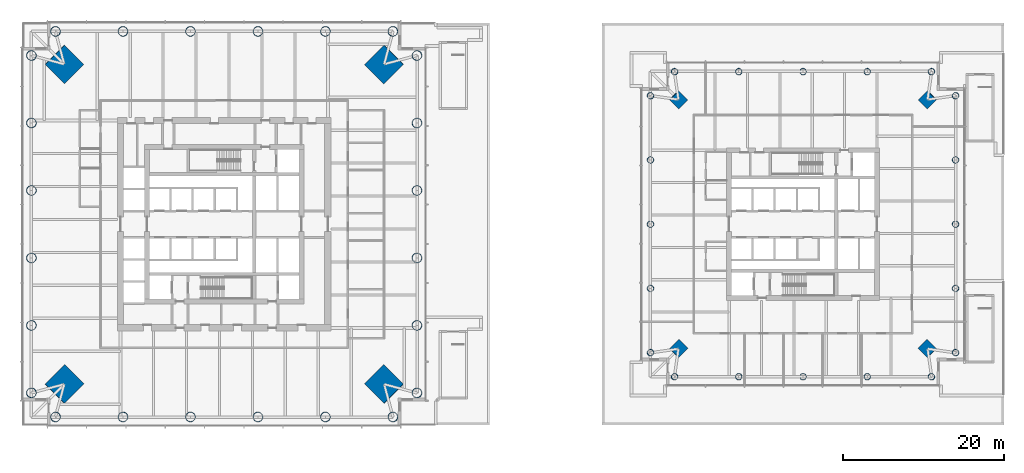
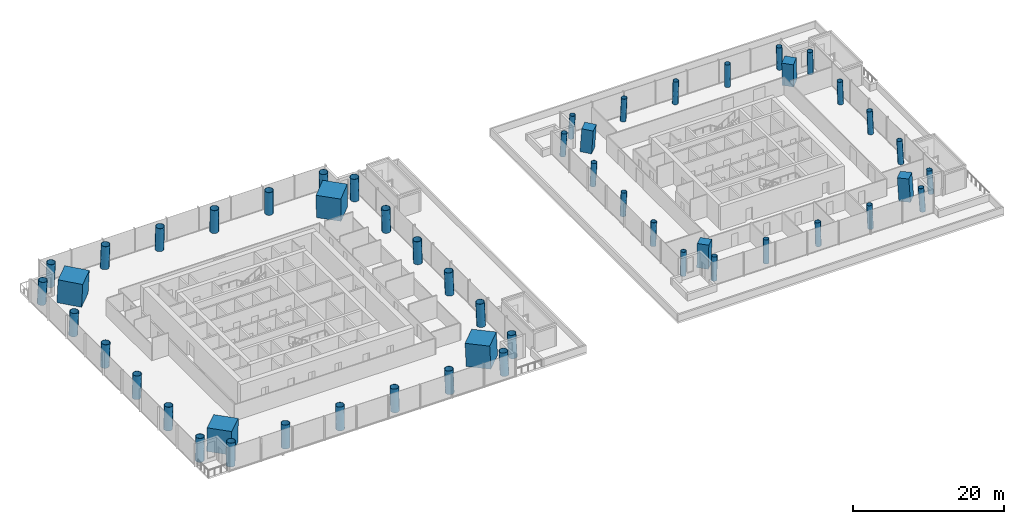
# One storey, part 1 of 19: 52 columns.
"""IFC4 building model written with IfcOpenShell, lengths in metres."""

from ifc_helpers import new_model, si_unit, direction, frame, origin, origin_2d, place, context, subcontext, project, spatial, rectangle, hollow_circle, extrude, material, material_profile, profile_set, type_object, element, save


model = new_model("IFC4")

# Units and contexts
model_context = context("Model", 3, precision=1e-05, world=origin(), true_north=direction((0.0, 1.0)))
body_context = subcontext(model_context, "Body", "Model", "MODEL_VIEW")
ifc_project = project(units=[si_unit("LENGTHUNIT", "METRE"), si_unit("AREAUNIT", "SQUARE_METRE"), si_unit("VOLUMEUNIT", "CUBIC_METRE"), si_unit("PLANEANGLEUNIT", "RADIAN"), si_unit("MASSUNIT", "GRAM", prefix="KILO")], contexts=[model_context])

# Site, building, storey
site_placement = place(None, origin())
site = spatial("IfcSite", under=ifc_project, at=site_placement, CompositionType="ELEMENT")
building_placement = place(site_placement, origin())
building = spatial("IfcBuilding", under=site, at=building_placement, Name="Ostroluk Exchange", CompositionType="ELEMENT")
storey_placement = place(building_placement, frame((0.0, 0.0, 21.0)))
storey = spatial("IfcBuildingStorey", under=building, at=storey_placement, Name="L04", CompositionType="ELEMENT", Elevation=21.0)

# Columns
ifc_material_1 = material(Name="Concrete C50/60", Category="concrete")
ifc_material_profile_1 = material_profile(ifc_material_1, rectangle(XDim=1.60009765625, YDim=1.60009765625, at=origin_2d()), Name="RC 1600x1600")
ifc_profile_set_1 = profile_set([ifc_material_profile_1], Name="Concrete C50/60")
column_type_1 = type_object("IfcColumnType", Name="Mega column RC 1600x1600", PredefinedType="COLUMN", material=ifc_profile_set_1)
for number, where, z_axis, x_axis, name in (
    (1, (132.497802734375, 61.497802734375, 0.049560546875), (-0.043013543527, -0.043013543527, 0.998148120344), (0.707106781187, -0.707106781187, 0.0), "T2 mega column NE"),
    (2, (101.502197265625, 61.497802734375, 0.049560546875), (0.043013543527, -0.043013543527, 0.998148120344), (0.707106781187, 0.707106781187, 0.0), "T2 mega column NW"),
    (3, (101.502197265625, 30.502197265625, 0.049560546875), (0.043013543527, 0.043013543527, 0.998148120344), (-0.707106781187, 0.707106781187, 0.0), "T2 mega column SW"),
    (4, (132.497802734375, 30.502197265625, 0.049560546875), (-0.043013543527, 0.043013543527, 0.998148120344), (-0.707106781187, -0.707106781187, 0.0), "T2 mega column SE"),
):
    element("IfcColumn", number, at=place(storey_placement, frame(where, z_axis=z_axis, x_axis=x_axis)), inside=storey, type_object=column_type_1, Name=name, PredefinedType="COLUMN", context=body_context, shape_type="SweptSolid", body=[
        extrude(rectangle(XDim=1.60009765625, YDim=1.60009765625, at=origin_2d()), origin(), (0.0, 0.0, 1.0), 3.757568359375),
    ])
ifc_material_2 = material(Name="Concrete C50/60", Category="concrete")
ifc_material_profile_2 = material_profile(ifc_material_2, rectangle(XDim=3.39990234375, YDim=3.39990234375, at=origin_2d()), Name="RC 3400x3400")
ifc_profile_set_2 = profile_set([ifc_material_profile_2], Name="Concrete C50/60")
column_type_2 = type_object("IfcColumnType", Name="Mega column RC 3400x3400", PredefinedType="COLUMN", material=ifc_profile_set_2)
for number, where, z_axis, x_axis, name in (
    (5, (64.8974609375, 65.8974609375, 0.07763671875), (-0.031908173233, -0.031908173233, 0.998981349657), (0.707106781187, -0.707106781187, 0.0), "T1 mega column NE"),
    (6, (25.1025390625, 65.8974609375, 0.07763671875), (0.031908173233, -0.031908173233, 0.998981349657), (0.707106781187, 0.707106781187, 0.0), "T1 mega column NW"),
    (7, (25.1025390625, 26.1025390625, 0.07763671875), (0.031908173233, 0.031908173233, 0.998981349657), (-0.707106781187, 0.707106781187, 0.0), "T1 mega column SW"),
    (8, (64.8974609375, 26.1025390625, 0.07763671875), (-0.031908173233, 0.031908173233, 0.998981349657), (-0.707106781187, -0.707106781187, 0.0), "T1 mega column SE"),
):
    element("IfcColumn", number, at=place(storey_placement, frame(where, z_axis=z_axis, x_axis=x_axis)), inside=storey, type_object=column_type_2, Name=name, PredefinedType="COLUMN", context=body_context, shape_type="SweptSolid", body=[
        extrude(rectangle(XDim=3.39990234375, YDim=3.39990234375, at=origin_2d()), origin(), (0.0, 0.0, 1.0), 3.726318359375),
    ])
ifc_material_3 = material(Name="Steel S460", Category="steel")
ifc_material_profile_3 = material_profile(ifc_material_3, hollow_circle(Radius=0.609619140625, WallThickness=0.0400390625, at=origin_2d()), Name="CHS 1219x40")
ifc_profile_set_3 = profile_set([ifc_material_profile_3], Name="Steel S460")
column_type_3 = type_object("IfcColumnType", Name="Perimeter column CHS 1219x40", PredefinedType="COLUMN", material=ifc_profile_set_3)
for number, where, z_axis, x_axis, name in (
    (9, (68.998779296875, 25.001220703125, 0.039794921875), (-0.031911357223, 0.031911357223, 0.998981146249), (-0.707106781187, -0.707106781187, 0.0), "T1 east face column E0"),
    (10, (68.998779296875, 66.998779296875, 0.039794921875), (-0.031911357223, -0.031911357223, 0.998981146249), (0.707106781187, -0.707106781187, 0.0), "T1 east face column E1"),
):
    element("IfcColumn", number, at=place(storey_placement, frame(where, z_axis=z_axis, x_axis=x_axis)), inside=storey, type_object=column_type_3, Name=name, PredefinedType="COLUMN", context=body_context, shape_type="SweptSolid", body=[
        extrude(hollow_circle(Radius=0.609619140625, WallThickness=0.0400390625, at=origin_2d()), origin(), (0.0, 0.0, 1.0), 3.76416015625),
    ])
column_1_placement = place(storey_placement, frame((68.9990234375, 33.400634765625, 0.033203125), z_axis=(-0.031930647454, 0.019171342082, 0.999306206023), x_axis=(-0.514751471552, -0.857339444173, 0.0)))
element("IfcColumn", 11, at=column_1_placement, inside=storey, type_object=column_type_3, Name="T1 east face column I1", PredefinedType="COLUMN", context=body_context, shape_type="SweptSolid", body=[
    extrude(hollow_circle(Radius=0.609619140625, WallThickness=0.0400390625, at=origin_2d()), origin(), (0.0, 0.0, 1.0), 3.76953125),
])
for number, where, z_axis, x_axis, name in (
    (12, (68.9990234375, 41.80029296875, 0.029052734375), (-0.031900761737, 0.006341327891, 0.99947092452), (-0.194968228644, -0.980809558385, 0.0), "T1 east face column I2"),
    (13, (68.9990234375, 50.19970703125, 0.029052734375), (-0.031900761737, -0.006341327891, 0.99947092452), (0.194968228644, -0.980809558385, 0.0), "T1 east face column I3"),
):
    element("IfcColumn", number, at=place(storey_placement, frame(where, z_axis=z_axis, x_axis=x_axis)), inside=storey, type_object=column_type_3, Name=name, PredefinedType="COLUMN", context=body_context, shape_type="SweptSolid", body=[
        extrude(hollow_circle(Radius=0.609619140625, WallThickness=0.0400390625, at=origin_2d()), origin(), (0.0, 0.0, 1.0), 3.77294921875),
    ])
column_2_placement = place(storey_placement, frame((68.9990234375, 58.599365234375, 0.033203125), z_axis=(-0.031930647454, -0.019171342082, 0.999306206023), x_axis=(0.514751471552, -0.857339444173, 0.0)))
element("IfcColumn", 14, at=column_2_placement, inside=storey, type_object=column_type_3, Name="T1 east face column I4", PredefinedType="COLUMN", context=body_context, shape_type="SweptSolid", body=[
    extrude(hollow_circle(Radius=0.609619140625, WallThickness=0.0400390625, at=origin_2d()), origin(), (0.0, 0.0, 1.0), 3.76953125),
])
for number, where, z_axis, x_axis, name in (
    (15, (65.998779296875, 69.998779296875, 0.039794921875), (-0.031911357223, -0.031911357223, 0.998981146249), (0.707106781187, -0.707106781187, 0.0), "T1 north face column E0"),
    (16, (24.001220703125, 69.998779296875, 0.039794921875), (0.031911357223, -0.031911357223, 0.998981146249), (0.707106781187, 0.707106781187, 0.0), "T1 north face column E1"),
):
    element("IfcColumn", number, at=place(storey_placement, frame(where, z_axis=z_axis, x_axis=x_axis)), inside=storey, type_object=column_type_3, Name=name, PredefinedType="COLUMN", context=body_context, shape_type="SweptSolid", body=[
        extrude(hollow_circle(Radius=0.609619140625, WallThickness=0.0400390625, at=origin_2d()), origin(), (0.0, 0.0, 1.0), 3.76416015625),
    ])
column_3_placement = place(storey_placement, frame((57.599365234375, 69.9990234375, 0.033203125), z_axis=(-0.019171342082, -0.031930647454, 0.999306206023), x_axis=(0.857339444173, -0.514751471552, 0.0)))
element("IfcColumn", 17, at=column_3_placement, inside=storey, type_object=column_type_3, Name="T1 north face column I1", PredefinedType="COLUMN", context=body_context, shape_type="SweptSolid", body=[
    extrude(hollow_circle(Radius=0.609619140625, WallThickness=0.0400390625, at=origin_2d()), origin(), (0.0, 0.0, 1.0), 3.76953125),
])
for number, where, z_axis, x_axis, name in (
    (18, (49.19970703125, 69.9990234375, 0.029052734375), (-0.006341327891, -0.031900761737, 0.99947092452), (0.980809558385, -0.194968228644, 0.0), "T1 north face column I2"),
    (19, (40.80029296875, 69.9990234375, 0.029052734375), (0.006341327891, -0.031900761737, 0.99947092452), (0.980809558385, 0.194968228644, 0.0), "T1 north face column I3"),
):
    element("IfcColumn", number, at=place(storey_placement, frame(where, z_axis=z_axis, x_axis=x_axis)), inside=storey, type_object=column_type_3, Name=name, PredefinedType="COLUMN", context=body_context, shape_type="SweptSolid", body=[
        extrude(hollow_circle(Radius=0.609619140625, WallThickness=0.0400390625, at=origin_2d()), origin(), (0.0, 0.0, 1.0), 3.77294921875),
    ])
column_4_placement = place(storey_placement, frame((32.400634765625, 69.9990234375, 0.033203125), z_axis=(0.019171342082, -0.031930647454, 0.999306206023), x_axis=(0.857339444173, 0.514751471552, 0.0)))
element("IfcColumn", 20, at=column_4_placement, inside=storey, type_object=column_type_3, Name="T1 north face column I4", PredefinedType="COLUMN", context=body_context, shape_type="SweptSolid", body=[
    extrude(hollow_circle(Radius=0.609619140625, WallThickness=0.0400390625, at=origin_2d()), origin(), (0.0, 0.0, 1.0), 3.76953125),
])
for number, where, z_axis, x_axis, name in (
    (21, (21.001220703125, 66.998779296875, 0.039794921875), (0.031911357223, -0.031911357223, 0.998981146249), (0.707106781187, 0.707106781187, 0.0), "T1 west face column E0"),
    (22, (21.001220703125, 25.001220703125, 0.039794921875), (0.031911357223, 0.031911357223, 0.998981146249), (-0.707106781187, 0.707106781187, 0.0), "T1 west face column E1"),
):
    element("IfcColumn", number, at=place(storey_placement, frame(where, z_axis=z_axis, x_axis=x_axis)), inside=storey, type_object=column_type_3, Name=name, PredefinedType="COLUMN", context=body_context, shape_type="SweptSolid", body=[
        extrude(hollow_circle(Radius=0.609619140625, WallThickness=0.0400390625, at=origin_2d()), origin(), (0.0, 0.0, 1.0), 3.76416015625),
    ])
column_5_placement = place(storey_placement, frame((21.0009765625, 58.599365234375, 0.033203125), z_axis=(0.031930647454, -0.019171342082, 0.999306206023), x_axis=(0.514751471552, 0.857339444173, 0.0)))
element("IfcColumn", 23, at=column_5_placement, inside=storey, type_object=column_type_3, Name="T1 west face column I1", PredefinedType="COLUMN", context=body_context, shape_type="SweptSolid", body=[
    extrude(hollow_circle(Radius=0.609619140625, WallThickness=0.0400390625, at=origin_2d()), origin(), (0.0, 0.0, 1.0), 3.76953125),
])
for number, where, z_axis, x_axis, name in (
    (24, (21.0009765625, 50.19970703125, 0.029052734375), (0.031900761737, -0.006341327891, 0.99947092452), (0.194968228644, 0.980809558385, 0.0), "T1 west face column I2"),
    (25, (21.0009765625, 41.80029296875, 0.029052734375), (0.031900761737, 0.006341327891, 0.99947092452), (-0.194968228644, 0.980809558385, 0.0), "T1 west face column I3"),
):
    element("IfcColumn", number, at=place(storey_placement, frame(where, z_axis=z_axis, x_axis=x_axis)), inside=storey, type_object=column_type_3, Name=name, PredefinedType="COLUMN", context=body_context, shape_type="SweptSolid", body=[
        extrude(hollow_circle(Radius=0.609619140625, WallThickness=0.0400390625, at=origin_2d()), origin(), (0.0, 0.0, 1.0), 3.77294921875),
    ])
column_6_placement = place(storey_placement, frame((21.0009765625, 33.400634765625, 0.033203125), z_axis=(0.031930647454, 0.019171342082, 0.999306206023), x_axis=(-0.514751471552, 0.857339444173, 0.0)))
element("IfcColumn", 26, at=column_6_placement, inside=storey, type_object=column_type_3, Name="T1 west face column I4", PredefinedType="COLUMN", context=body_context, shape_type="SweptSolid", body=[
    extrude(hollow_circle(Radius=0.609619140625, WallThickness=0.0400390625, at=origin_2d()), origin(), (0.0, 0.0, 1.0), 3.76953125),
])
for number, where, z_axis, x_axis, name in (
    (27, (24.001220703125, 22.001220703125, 0.039794921875), (0.031911357223, 0.031911357223, 0.998981146249), (-0.707106781187, 0.707106781187, 0.0), "T1 south face column E0"),
    (28, (65.998779296875, 22.001220703125, 0.039794921875), (-0.031911357223, 0.031911357223, 0.998981146249), (-0.707106781187, -0.707106781187, 0.0), "T1 south face column E1"),
):
    element("IfcColumn", number, at=place(storey_placement, frame(where, z_axis=z_axis, x_axis=x_axis)), inside=storey, type_object=column_type_3, Name=name, PredefinedType="COLUMN", context=body_context, shape_type="SweptSolid", body=[
        extrude(hollow_circle(Radius=0.609619140625, WallThickness=0.0400390625, at=origin_2d()), origin(), (0.0, 0.0, 1.0), 3.76416015625),
    ])
column_7_placement = place(storey_placement, frame((32.400634765625, 22.0009765625, 0.033203125), z_axis=(0.019171342082, 0.031930647454, 0.999306206023), x_axis=(-0.857339444173, 0.514751471552, 0.0)))
element("IfcColumn", 29, at=column_7_placement, inside=storey, type_object=column_type_3, Name="T1 south face column I1", PredefinedType="COLUMN", context=body_context, shape_type="SweptSolid", body=[
    extrude(hollow_circle(Radius=0.609619140625, WallThickness=0.0400390625, at=origin_2d()), origin(), (0.0, 0.0, 1.0), 3.76953125),
])
for number, where, z_axis, x_axis, name in (
    (30, (40.80029296875, 22.0009765625, 0.029052734375), (0.006341327891, 0.031900761737, 0.99947092452), (-0.980809558385, 0.194968228644, 0.0), "T1 south face column I2"),
    (31, (49.19970703125, 22.0009765625, 0.029052734375), (-0.006341327891, 0.031900761737, 0.99947092452), (-0.980809558385, -0.194968228644, 0.0), "T1 south face column I3"),
):
    element("IfcColumn", number, at=place(storey_placement, frame(where, z_axis=z_axis, x_axis=x_axis)), inside=storey, type_object=column_type_3, Name=name, PredefinedType="COLUMN", context=body_context, shape_type="SweptSolid", body=[
        extrude(hollow_circle(Radius=0.609619140625, WallThickness=0.0400390625, at=origin_2d()), origin(), (0.0, 0.0, 1.0), 3.77294921875),
    ])
column_8_placement = place(storey_placement, frame((57.599365234375, 22.0009765625, 0.033203125), z_axis=(-0.019171342082, 0.031930647454, 0.999306206023), x_axis=(-0.857339444173, -0.514751471552, 0.0)))
element("IfcColumn", 32, at=column_8_placement, inside=storey, type_object=column_type_3, Name="T1 south face column I4", PredefinedType="COLUMN", context=body_context, shape_type="SweptSolid", body=[
    extrude(hollow_circle(Radius=0.609619140625, WallThickness=0.0400390625, at=origin_2d()), origin(), (0.0, 0.0, 1.0), 3.76953125),
])
ifc_material_4 = material(Name="Steel S460", Category="steel")
ifc_material_profile_4 = material_profile(ifc_material_4, hollow_circle(Radius=0.406494140625, WallThickness=0.030029296875, at=origin_2d()), Name="CHS 813x30")
ifc_profile_set_4 = profile_set([ifc_material_profile_4], Name="Steel S460")
column_type_4 = type_object("IfcColumnType", Name="Perimeter column CHS 813x30", PredefinedType="COLUMN", material=ifc_profile_set_4)
for number, where, z_axis, x_axis, name in (
    (33, (135.99853515625, 30.00146484375, 0.035888671875), (-0.04305138993, 0.04305138993, 0.998144857047), (-0.707106781187, -0.707106781187, 0.0), "T2 east face column E0"),
    (34, (135.99853515625, 61.99853515625, 0.035888671875), (-0.04305138993, -0.04305138993, 0.998144857047), (0.707106781187, -0.707106781187, 0.0), "T2 east face column E1"),
):
    element("IfcColumn", number, at=place(storey_placement, frame(where, z_axis=z_axis, x_axis=x_axis)), inside=storey, type_object=column_type_4, Name=name, PredefinedType="COLUMN", context=body_context, shape_type="SweptSolid", body=[
        extrude(hollow_circle(Radius=0.406494140625, WallThickness=0.030029296875, at=origin_2d()), origin(), (0.0, 0.0, 1.0), 3.771240234375),
    ])
column_9_placement = place(storey_placement, frame((135.998779296875, 38.000732421875, 0.028564453125), z_axis=(-0.043062441476, 0.021466562418, 0.998841735628), x_axis=(-0.446138240569, -0.8949640609, 0.0)))
element("IfcColumn", 35, at=column_9_placement, inside=storey, type_object=column_type_4, Name="T2 east face column I1", PredefinedType="COLUMN", context=body_context, shape_type="SweptSolid", body=[
    extrude(hollow_circle(Radius=0.406494140625, WallThickness=0.030029296875, at=origin_2d()), origin(), (0.0, 0.0, 1.0), 3.77587890625),
])
column_10_placement = place(storey_placement, frame((135.998779296875, 46.0, 0.025634765625), z_axis=(-0.043038996107, 0.0, 0.999073393107), x_axis=(0.0, -1.0, 0.0)))
element("IfcColumn", 36, at=column_10_placement, inside=storey, type_object=column_type_4, Name="T2 east face column I2", PredefinedType="COLUMN", context=body_context, shape_type="SweptSolid", body=[
    extrude(hollow_circle(Radius=0.406494140625, WallThickness=0.030029296875, at=origin_2d()), origin(), (0.0, 0.0, 1.0), 3.77783203125),
])
column_11_placement = place(storey_placement, frame((135.998779296875, 53.999267578125, 0.028564453125), z_axis=(-0.043062441476, -0.021466562418, 0.998841735628), x_axis=(0.446138240569, -0.8949640609, 0.0)))
element("IfcColumn", 37, at=column_11_placement, inside=storey, type_object=column_type_4, Name="T2 east face column I3", PredefinedType="COLUMN", context=body_context, shape_type="SweptSolid", body=[
    extrude(hollow_circle(Radius=0.406494140625, WallThickness=0.030029296875, at=origin_2d()), origin(), (0.0, 0.0, 1.0), 3.77587890625),
])
for number, where, z_axis, x_axis, name in (
    (38, (132.99853515625, 64.99853515625, 0.035888671875), (-0.04305138993, -0.04305138993, 0.998144857047), (0.707106781187, -0.707106781187, 0.0), "T2 north face column E0"),
    (39, (101.00146484375, 64.99853515625, 0.035888671875), (0.04305138993, -0.04305138993, 0.998144857047), (0.707106781187, 0.707106781187, 0.0), "T2 north face column E1"),
):
    element("IfcColumn", number, at=place(storey_placement, frame(where, z_axis=z_axis, x_axis=x_axis)), inside=storey, type_object=column_type_4, Name=name, PredefinedType="COLUMN", context=body_context, shape_type="SweptSolid", body=[
        extrude(hollow_circle(Radius=0.406494140625, WallThickness=0.030029296875, at=origin_2d()), origin(), (0.0, 0.0, 1.0), 3.771240234375),
    ])
column_12_placement = place(storey_placement, frame((124.999267578125, 64.998779296875, 0.028564453125), z_axis=(-0.021466562418, -0.043062441476, 0.998841735628), x_axis=(0.8949640609, -0.446138240569, 0.0)))
element("IfcColumn", 40, at=column_12_placement, inside=storey, type_object=column_type_4, Name="T2 north face column I1", PredefinedType="COLUMN", context=body_context, shape_type="SweptSolid", body=[
    extrude(hollow_circle(Radius=0.406494140625, WallThickness=0.030029296875, at=origin_2d()), origin(), (0.0, 0.0, 1.0), 3.77587890625),
])
column_13_placement = place(storey_placement, frame((117.0, 64.998779296875, 0.025634765625), z_axis=(0.0, -0.043038996107, 0.999073393107), x_axis=(1.0, 0.0, 0.0)))
element("IfcColumn", 41, at=column_13_placement, inside=storey, type_object=column_type_4, Name="T2 north face column I2", PredefinedType="COLUMN", context=body_context, shape_type="SweptSolid", body=[
    extrude(hollow_circle(Radius=0.406494140625, WallThickness=0.030029296875, at=origin_2d()), origin(), (0.0, 0.0, 1.0), 3.77783203125),
])
column_14_placement = place(storey_placement, frame((109.000732421875, 64.998779296875, 0.028564453125), z_axis=(0.021466562418, -0.043062441476, 0.998841735628), x_axis=(0.8949640609, 0.446138240569, 0.0)))
element("IfcColumn", 42, at=column_14_placement, inside=storey, type_object=column_type_4, Name="T2 north face column I3", PredefinedType="COLUMN", context=body_context, shape_type="SweptSolid", body=[
    extrude(hollow_circle(Radius=0.406494140625, WallThickness=0.030029296875, at=origin_2d()), origin(), (0.0, 0.0, 1.0), 3.77587890625),
])
for number, where, z_axis, x_axis, name in (
    (43, (98.00146484375, 61.99853515625, 0.035888671875), (0.04305138993, -0.04305138993, 0.998144857047), (0.707106781187, 0.707106781187, 0.0), "T2 west face column E0"),
    (44, (98.00146484375, 30.00146484375, 0.035888671875), (0.04305138993, 0.04305138993, 0.998144857047), (-0.707106781187, 0.707106781187, 0.0), "T2 west face column E1"),
):
    element("IfcColumn", number, at=place(storey_placement, frame(where, z_axis=z_axis, x_axis=x_axis)), inside=storey, type_object=column_type_4, Name=name, PredefinedType="COLUMN", context=body_context, shape_type="SweptSolid", body=[
        extrude(hollow_circle(Radius=0.406494140625, WallThickness=0.030029296875, at=origin_2d()), origin(), (0.0, 0.0, 1.0), 3.771240234375),
    ])
column_15_placement = place(storey_placement, frame((98.001220703125, 53.999267578125, 0.028564453125), z_axis=(0.043062441476, -0.021466562418, 0.998841735628), x_axis=(0.446138240569, 0.8949640609, 0.0)))
element("IfcColumn", 45, at=column_15_placement, inside=storey, type_object=column_type_4, Name="T2 west face column I1", PredefinedType="COLUMN", context=body_context, shape_type="SweptSolid", body=[
    extrude(hollow_circle(Radius=0.406494140625, WallThickness=0.030029296875, at=origin_2d()), origin(), (0.0, 0.0, 1.0), 3.77587890625),
])
column_16_placement = place(storey_placement, frame((98.001220703125, 46.0, 0.025634765625), z_axis=(0.043038996107, 0.0, 0.999073393107), x_axis=(0.0, 1.0, 0.0)))
element("IfcColumn", 46, at=column_16_placement, inside=storey, type_object=column_type_4, Name="T2 west face column I2", PredefinedType="COLUMN", context=body_context, shape_type="SweptSolid", body=[
    extrude(hollow_circle(Radius=0.406494140625, WallThickness=0.030029296875, at=origin_2d()), origin(), (0.0, 0.0, 1.0), 3.77783203125),
])
column_17_placement = place(storey_placement, frame((98.001220703125, 38.000732421875, 0.028564453125), z_axis=(0.043062441476, 0.021466562418, 0.998841735628), x_axis=(-0.446138240569, 0.8949640609, 0.0)))
element("IfcColumn", 47, at=column_17_placement, inside=storey, type_object=column_type_4, Name="T2 west face column I3", PredefinedType="COLUMN", context=body_context, shape_type="SweptSolid", body=[
    extrude(hollow_circle(Radius=0.406494140625, WallThickness=0.030029296875, at=origin_2d()), origin(), (0.0, 0.0, 1.0), 3.77587890625),
])
for number, where, z_axis, x_axis, name in (
    (48, (101.00146484375, 27.00146484375, 0.035888671875), (0.04305138993, 0.04305138993, 0.998144857047), (-0.707106781187, 0.707106781187, 0.0), "T2 south face column E0"),
    (49, (132.99853515625, 27.00146484375, 0.035888671875), (-0.04305138993, 0.04305138993, 0.998144857047), (-0.707106781187, -0.707106781187, 0.0), "T2 south face column E1"),
):
    element("IfcColumn", number, at=place(storey_placement, frame(where, z_axis=z_axis, x_axis=x_axis)), inside=storey, type_object=column_type_4, Name=name, PredefinedType="COLUMN", context=body_context, shape_type="SweptSolid", body=[
        extrude(hollow_circle(Radius=0.406494140625, WallThickness=0.030029296875, at=origin_2d()), origin(), (0.0, 0.0, 1.0), 3.771240234375),
    ])
column_18_placement = place(storey_placement, frame((109.000732421875, 27.001220703125, 0.028564453125), z_axis=(0.021466562418, 0.043062441476, 0.998841735628), x_axis=(-0.8949640609, 0.446138240569, 0.0)))
element("IfcColumn", 50, at=column_18_placement, inside=storey, type_object=column_type_4, Name="T2 south face column I1", PredefinedType="COLUMN", context=body_context, shape_type="SweptSolid", body=[
    extrude(hollow_circle(Radius=0.406494140625, WallThickness=0.030029296875, at=origin_2d()), origin(), (0.0, 0.0, 1.0), 3.77587890625),
])
column_19_placement = place(storey_placement, frame((117.0, 27.001220703125, 0.025634765625), z_axis=(0.0, 0.043038996107, 0.999073393107), x_axis=(-1.0, 0.0, 0.0)))
element("IfcColumn", 51, at=column_19_placement, inside=storey, type_object=column_type_4, Name="T2 south face column I2", PredefinedType="COLUMN", context=body_context, shape_type="SweptSolid", body=[
    extrude(hollow_circle(Radius=0.406494140625, WallThickness=0.030029296875, at=origin_2d()), origin(), (0.0, 0.0, 1.0), 3.77783203125),
])
column_20_placement = place(storey_placement, frame((124.999267578125, 27.001220703125, 0.028564453125), z_axis=(-0.021466562418, 0.043062441476, 0.998841735628), x_axis=(-0.8949640609, -0.446138240569, 0.0)))
element("IfcColumn", 52, at=column_20_placement, inside=storey, type_object=column_type_4, Name="T2 south face column I3", PredefinedType="COLUMN", context=body_context, shape_type="SweptSolid", body=[
    extrude(hollow_circle(Radius=0.406494140625, WallThickness=0.030029296875, at=origin_2d()), origin(), (0.0, 0.0, 1.0), 3.77587890625),
])

save(model, "model.ifc")
